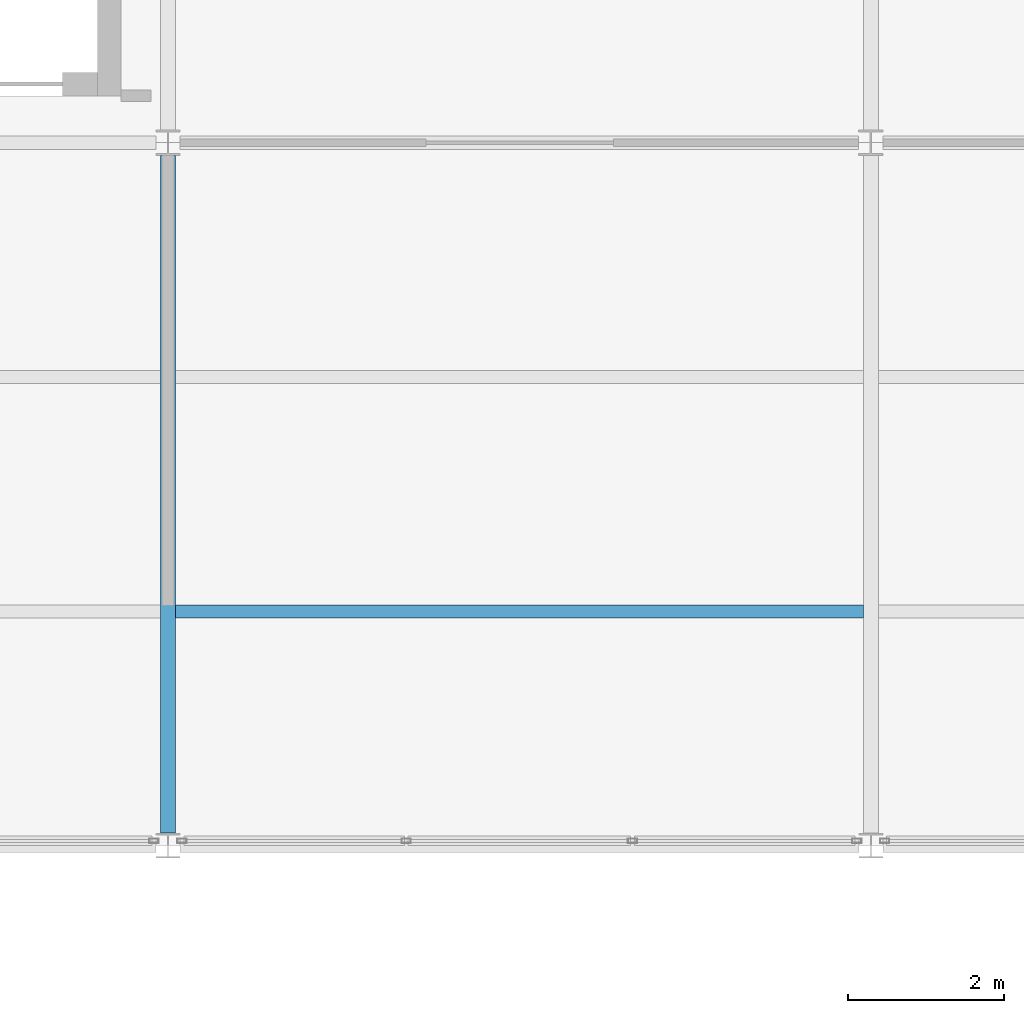
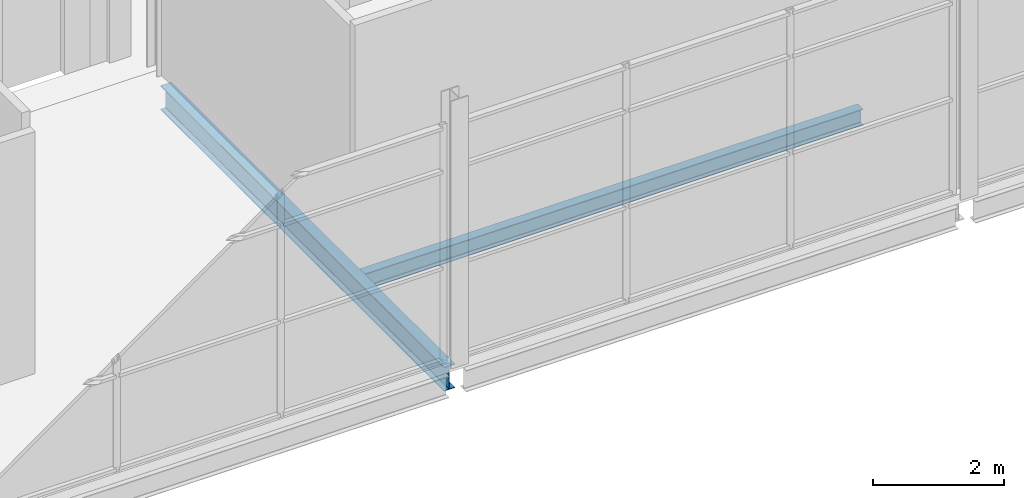
# One storey, part 25 of 61: 2 beams.
"""IFC4 building model written with IfcOpenShell, lengths in metres."""

import ifcopenshell
import ifcopenshell.guid

model = None  # the IFC model being written
_history = None  # IfcOwnerHistory: only IFC2X3 demands one
_inside = {}  # id of a spatial element -> (the spatial element, [elements in it])
_under = {}  # id of a project, library or spatial element -> (it, [spatial elements below it])
_declared = {}  # id of a project -> (the project, [libraries it declares])
_typed = {}  # id of a type object -> (the type object, [elements of that type])
_made_of = {}  # id of a material, layer set ... -> (it, [elements and type objects made of it])


def new_model(schema):
    """Start an empty IFC model of exactly this schema.

    Asked for "IFC4X3", IfcOpenShell would pick the latest addendum, in which some entities
    have other attributes; the version numbers below select the first issue.
    IFC2X3 requires an IfcOwnerHistory on every rooted entity: one is made here for all.
    """
    global model, _history
    if schema == "IFC4X3":
        model = ifcopenshell.file(schema_version=(4, 3, 0, 0))
    else:
        model = ifcopenshell.file(schema=schema)
    _inside.clear()
    _under.clear()
    _declared.clear()
    _typed.clear()
    _made_of.clear()
    _history = None
    if model.schema == "IFC2X3":
        org = make("IfcOrganization", Name="unknown")
        user = make(
            "IfcPersonAndOrganization",
            ThePerson=make("IfcPerson", FamilyName="unknown"),
            TheOrganization=org,
        )
        app = make(
            "IfcApplication",
            ApplicationDeveloper=org,
            Version="unknown",
            ApplicationFullName="unknown",
            ApplicationIdentifier="unknown",
        )
        _history = make(
            "IfcOwnerHistory",
            OwningUser=user,
            OwningApplication=app,
            ChangeAction="ADDED",
            CreationDate=0,
        )
    return model


def make(cls, **values):
    """One entity of the class cls with the attributes given. An attribute that is None is left unset."""
    return model.create_entity(
        cls, **{name: value for name, value in values.items() if value is not None}
    )


def rooted(cls, **values):
    """An entity with a GlobalId (a new one), such as an element, a storey or a relation."""
    return make(cls, GlobalId=ifcopenshell.guid.new(), OwnerHistory=_history, **values)


def si_unit(unit_type, name, prefix=None):
    """IfcSIUnit, for example si_unit("LENGTHUNIT", "METRE", prefix="MILLI")."""
    return make("IfcSIUnit", UnitType=unit_type, Prefix=prefix, Name=name)


def assignment(units):
    """IfcUnitAssignment: the units of a project."""
    return None if units is None else make("IfcUnitAssignment", Units=units)


def point(xyz):
    """IfcCartesianPoint."""
    return None if xyz is None else make("IfcCartesianPoint", Coordinates=xyz)


def direction(xyz):
    """IfcDirection."""
    return None if xyz is None else make("IfcDirection", DirectionRatios=xyz)


def frame(location, z_axis=None, x_axis=None):
    """IfcAxis2Placement3D, a coordinate frame: its origin and axes. An axis left out is left unset."""
    return make(
        "IfcAxis2Placement3D",
        Location=point(location),
        Axis=direction(z_axis),
        RefDirection=direction(x_axis),
    )


def frame_2d(location, x_axis=None):
    """IfcAxis2Placement2D, a coordinate frame in the plane: its origin and x axis."""
    return make(
        "IfcAxis2Placement2D", Location=point(location), RefDirection=direction(x_axis)
    )


def origin():
    """The frame at (0, 0, 0) with its axes left unset."""
    return frame((0.0, 0.0, 0.0))


def origin_2d():
    """The frame at (0, 0) in the plane with its x axis left unset."""
    return frame_2d((0.0, 0.0))


def place(relative_to, where):
    """IfcLocalPlacement: puts the frame where relative to a parent placement (None: the world)."""
    return make(
        "IfcLocalPlacement", PlacementRelTo=relative_to, RelativePlacement=where
    )


def context(
    kind, dimensions, precision=None, world=None, true_north=None, identifier=None
):
    """IfcGeometricRepresentationContext, for example the 3D "Model" context."""
    return make(
        "IfcGeometricRepresentationContext",
        ContextIdentifier=identifier,
        ContextType=kind,
        CoordinateSpaceDimension=dimensions,
        Precision=precision,
        WorldCoordinateSystem=world,
        TrueNorth=true_north,
    )


def subcontext(parent, identifier, kind, view, scale=None):
    """IfcGeometricRepresentationSubContext, for example "Body" below "Model"."""
    return make(
        "IfcGeometricRepresentationSubContext",
        ContextIdentifier=identifier,
        ContextType=kind,
        ParentContext=parent,
        TargetScale=scale,
        TargetView=view,
    )


def project(units=None, contexts=None):
    """IfcProject with its units and contexts."""
    return rooted(
        "IfcProject",
        Name="project",
        RepresentationContexts=contexts,
        UnitsInContext=assignment(units),
    )


def spatial(cls, under=None, at=None, **own):
    """A site, building, storey or space (cls), placed at a placement, below another one or the project."""
    s = rooted(cls, ObjectPlacement=at, **own)
    if under is not None:
        _under.setdefault(under.id(), (under, []))[1].append(s)
    return s


def profile(cls, at=None, kind="AREA", **sizes):
    """A parametric profile (cls). Its sizes go by their IFC names, for example OverallWidth=200.0."""
    return make(cls, ProfileType=kind, Position=at, **sizes)


def i_section(**sizes):
    """IfcIShapeProfileDef."""
    return profile("IfcIShapeProfileDef", **sizes)


def extrude(swept, where, along, depth):
    """IfcExtrudedAreaSolid: the profile swept, set in the frame where, extruded along a direction by depth."""
    return make(
        "IfcExtrudedAreaSolid",
        SweptArea=swept,
        Position=where,
        ExtrudedDirection=direction(along),
        Depth=depth,
    )


def shape(context_of_items, identifier, shape_type, items):
    """IfcShapeRepresentation: the items that make up one representation, for example the "Body"."""
    return make(
        "IfcShapeRepresentation",
        ContextOfItems=context_of_items,
        RepresentationIdentifier=identifier,
        RepresentationType=shape_type,
        Items=items,
    )


def material(Name=None, Category=None):
    """IfcMaterial."""
    return make("IfcMaterial", Name=Name, Category=Category)


def material_profile(
    of_material, cross_section, Name=None, Category=None, Priority=None
):
    """IfcMaterialProfile: a cross section and its material."""
    return make(
        "IfcMaterialProfile",
        Name=Name,
        Material=of_material,
        Profile=cross_section,
        Priority=Priority,
        Category=Category,
    )


def profile_set(profiles, Name=None, composite=None):
    """IfcMaterialProfileSet."""
    return make(
        "IfcMaterialProfileSet",
        Name=Name,
        MaterialProfiles=profiles,
        CompositeProfile=composite,
    )


def made_of(thing, what):
    """Note that an element or type object is made of a material, layer set ...; save() writes the relation."""
    if what is not None:
        _made_of.setdefault(what.id(), (what, []))[1].append(thing)
    return thing


def type_object(cls, material=None, **own):
    """A type object (cls), such as IfcWallType, which elements share."""
    return made_of(rooted(cls, **own), material)


def element(
    cls,
    number,
    at=None,
    inside=None,
    cuts=None,
    type_object=None,
    material=None,
    context=None,
    identifier="Body",
    shape_type=None,
    held_by="IfcProductDefinitionShape",
    body=None,
    shapes=None,
    **own,
):
    """One element of the class cls, such as IfcWall. Its Tag is "e" and its number.

    at: its placement. inside: the storey or other place that contains it. cuts: it is an
    opening in that element (IfcRelVoidsElement). A single representation is given by context,
    identifier, shape_type and body (its items); several are given by shapes. held_by: the class
    of the entity that holds the representations. save() writes the other relations.
    """
    e = rooted(cls, Tag="e%d" % number, ObjectPlacement=at, **own)
    if body is not None:
        shapes = [shape(context, identifier, shape_type, body)]
    if shapes is not None:
        e.Representation = make(held_by, Representations=shapes)
    if inside is not None:
        _inside.setdefault(inside.id(), (inside, []))[1].append(e)
    if cuts is not None:
        rooted(
            "IfcRelVoidsElement", RelatingBuildingElement=cuts, RelatedOpeningElement=e
        )
    if type_object is not None:
        _typed.setdefault(type_object.id(), (type_object, []))[1].append(e)
    return made_of(e, material)


def aggregate(whole, parts):
    """IfcRelAggregates: a whole, such as a stair, and the parts it consists of."""
    return rooted("IfcRelAggregates", RelatingObject=whole, RelatedObjects=parts)


def save(model, path):
    """Write the relations noted so far, then the file.

    IfcRelAggregates (storeys below a building ...), IfcRelContainedInSpatialStructure (elements
    in a storey), IfcRelDefinesByType, IfcRelAssociatesMaterial and IfcRelDeclares: one each for
    every whole, place, type object, material and project.
    """
    for whole, parts in _under.values():
        aggregate(whole, parts)
    for where, things in _inside.values():
        rooted(
            "IfcRelContainedInSpatialStructure",
            RelatedElements=things,
            RelatingStructure=where,
        )
    for kind, things in _typed.values():
        rooted("IfcRelDefinesByType", RelatedObjects=things, RelatingType=kind)
    for what, things in _made_of.values():
        rooted("IfcRelAssociatesMaterial", RelatedObjects=things, RelatingMaterial=what)
    for by, libraries in _declared.values():
        rooted("IfcRelDeclares", RelatingContext=by, RelatedDefinitions=libraries)
    model.write(path)


model = new_model("IFC4")

# Units and contexts
model_context = context("Model", 3, precision=1e-05, world=origin(), true_north=direction((0.0, 1.0)))
body_context = subcontext(model_context, "Body", "Model", "MODEL_VIEW")
ifc_project = project(units=[si_unit("LENGTHUNIT", "METRE"), si_unit("AREAUNIT", "SQUARE_METRE"), si_unit("VOLUMEUNIT", "CUBIC_METRE"), si_unit("PLANEANGLEUNIT", "RADIAN"), si_unit("MASSUNIT", "GRAM", prefix="KILO")], contexts=[model_context])

# Site, building, storey
site_placement = place(None, origin())
site = spatial("IfcSite", under=ifc_project, at=site_placement, CompositionType="ELEMENT")
building_placement = place(site_placement, origin())
building = spatial("IfcBuilding", under=site, at=building_placement, Name="Shorebreak Coast Museum", CompositionType="ELEMENT")
storey_placement = place(building_placement, frame((0.0, 0.0, 26.0)))
storey = spatial("IfcBuildingStorey", under=building, at=storey_placement, Name="L04", CompositionType="ELEMENT", Elevation=26.0)

# Beams
ifc_material_1 = material(Name="Steel Grade 300", Category="steel")
ifc_material_profile_1 = material_profile(ifc_material_1, i_section(OverallWidth=0.18994140625, OverallDepth=0.453857421875, WebThickness=0.008544921875, FlangeThickness=0.0126953125, FilletRadius=0.011474609375, at=origin_2d()), Name="460UB67.1")
ifc_profile_set_1 = profile_set([ifc_material_profile_1], Name="Steel Grade 300")
beam_type_1 = type_object("IfcBeamType", Name="Floor girder north-south 460UB67.1", PredefinedType="BEAM", material=ifc_profile_set_1)
beam_1_placement = place(storey_placement, frame((72.0, 81.160400390625, -0.40185546875), z_axis=(0.0, 1.0, 0.0), x_axis=(-1.0, 0.0, 0.0)))
element("IfcBeam", 1, at=beam_1_placement, inside=storey, type_object=beam_type_1, Name="Floor girder north-south L04 9K", PredefinedType="BEAM", context=body_context, shape_type="SweptSolid", body=[
    extrude(i_section(OverallWidth=0.18994140625, OverallDepth=0.453857421875, WebThickness=0.008544921875, FlangeThickness=0.0126953125, FilletRadius=0.011474609375, at=origin_2d()), origin(), (0.0, 0.0, 1.0), 8.676025390625),
])
ifc_material_2 = material(Name="Steel Grade 300", Category="steel")
ifc_material_profile_2 = material_profile(ifc_material_2, i_section(OverallWidth=0.1650390625, OverallDepth=0.303955078125, WebThickness=0.006103515625, FlangeThickness=0.01025390625, FilletRadius=0.011474609375, at=origin_2d()), Name="310UB40.4")
ifc_profile_set_2 = profile_set([ifc_material_profile_2], Name="Steel Grade 300")
beam_type_2 = type_object("IfcBeamType", Name="Floor joist 310UB40.4", PredefinedType="JOIST", material=ifc_profile_set_2)
beam_2_placement = place(storey_placement, frame((72.094970703125, 84.0, -0.326904296875), z_axis=(1.0, 0.0, 0.0), x_axis=(0.0, 1.0, 0.0)))
element("IfcBeam", 2, at=beam_2_placement, inside=storey, type_object=beam_type_2, Name="Floor joist L04 bay 9K at 3000 mm", PredefinedType="JOIST", context=body_context, shape_type="SweptSolid", body=[
    extrude(i_section(OverallWidth=0.1650390625, OverallDepth=0.303955078125, WebThickness=0.006103515625, FlangeThickness=0.01025390625, FilletRadius=0.011474609375, at=origin_2d()), origin(), (0.0, 0.0, 1.0), 8.81005859375),
])

save(model, "model.ifc")
